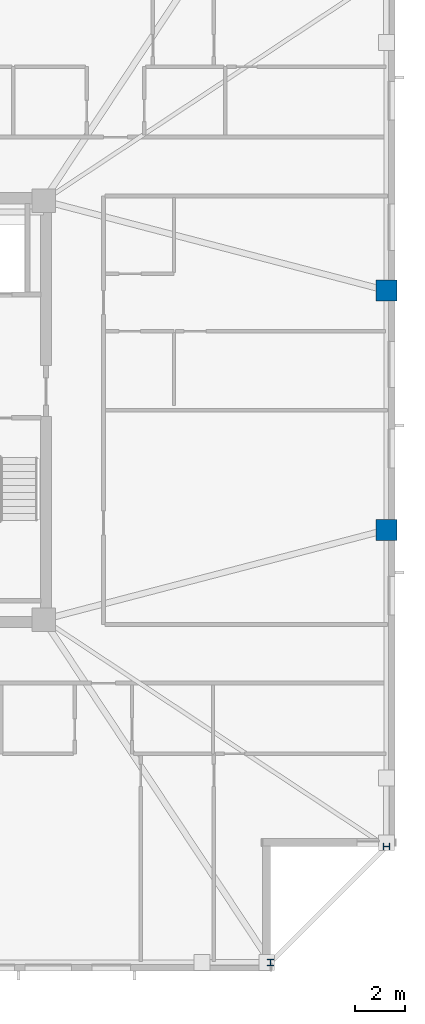
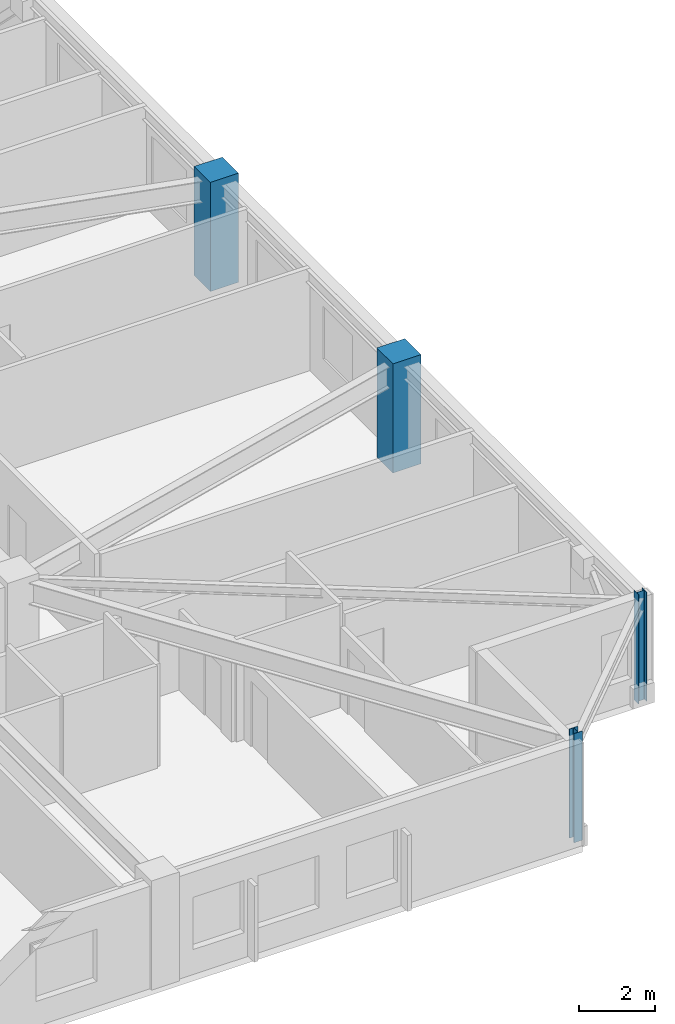
# One storey, part 3 of 17: 4 columns.
"""IFC4 building model written with IfcOpenShell, lengths in metres."""

from ifc_helpers import new_model, si_unit, direction, frame, origin, origin_2d, place, context, subcontext, project, spatial, rectangle, i_section, extrude, material, material_profile, profile_set, type_object, element, save


model = new_model("IFC4")

# Units and contexts
model_context = context("Model", 3, precision=1e-05, world=origin(), true_north=direction((0.0, 1.0)))
body_context = subcontext(model_context, "Body", "Model", "MODEL_VIEW")
ifc_project = project(units=[si_unit("LENGTHUNIT", "METRE"), si_unit("AREAUNIT", "SQUARE_METRE"), si_unit("VOLUMEUNIT", "CUBIC_METRE"), si_unit("PLANEANGLEUNIT", "RADIAN"), si_unit("MASSUNIT", "GRAM", prefix="KILO")], contexts=[model_context])

# Site, building, storey
site_placement = place(None, origin())
site = spatial("IfcSite", under=ifc_project, at=site_placement, CompositionType="ELEMENT")
building_placement = place(site_placement, origin())
building = spatial("IfcBuilding", under=site, at=building_placement, Name="Cairnveth Concourse Tower", CompositionType="ELEMENT")
storey_placement = place(building_placement, frame((0.0, 0.0, 206.0)))
storey = spatial("IfcBuildingStorey", under=building, at=storey_placement, Name="L56", CompositionType="ELEMENT", Elevation=206.0)

# Columns
ifc_material_1 = material(Name="Concrete N65 (65 MPa)", Category="concrete")
ifc_material_profile_1 = material_profile(ifc_material_1, rectangle(XDim=0.85009765625, YDim=0.85009765625, at=origin_2d()), Name="RC-COL-850x850")
ifc_profile_set_1 = profile_set([ifc_material_profile_1], Name="Concrete N65 (65 MPa)")
column_type_1 = type_object("IfcColumnType", Name="PERIMETER PIER COLUMN 850X850", PredefinedType="COLUMN", material=ifc_profile_set_1)
for number, where, z_axis, x_axis, name in (
    (1, (74.14990234375, 34.199951171875, 0.0), (0.0, 0.0, 1.0), (0.0, 1.0, 0.0), "Column P-E2 L56"),
    (2, (74.14990234375, 43.800048828125, 0.0), (0.0, 0.0, 1.0), (0.0, 1.0, 0.0), "Column P-E3 L56"),
):
    element("IfcColumn", number, at=place(storey_placement, frame(where, z_axis=z_axis, x_axis=x_axis)), inside=storey, type_object=column_type_1, Name=name, PredefinedType="COLUMN", context=body_context, shape_type="SweptSolid", body=[
        extrude(rectangle(XDim=0.85009765625, YDim=0.85009765625, at=origin_2d()), origin(), (0.0, 0.0, 1.0), 3.5),
    ])
ifc_material_2 = material(Name="Steel Grade 350", Category="steel")
ifc_material_profile_2 = material_profile(ifc_material_2, i_section(OverallWidth=0.256103515625, OverallDepth=0.260009765625, WebThickness=0.010498046875, FlangeThickness=0.017333984375, FilletRadius=0.012939453125, at=origin_2d()), Name="250UC89.5")
ifc_profile_set_2 = profile_set([ifc_material_profile_2], Name="Steel Grade 350")
column_type_2 = type_object("IfcColumnType", Name="UNIVERSAL STEEL COLUMN 250UC89.5", PredefinedType="COLUMN", material=ifc_profile_set_2)
for number, where, z_axis, x_axis, name in (
    (3, (69.5, 16.85009765625, 0.0), (0.0, 0.0, 1.0), (1.0, 0.0, 0.0), "Column P-S4 L56"),
    (4, (74.14990234375, 21.5, 0.0), (0.0, 0.0, 1.0), (0.0, 1.0, 0.0), "Column P-E1 L56"),
):
    element("IfcColumn", number, at=place(storey_placement, frame(where, z_axis=z_axis, x_axis=x_axis)), inside=storey, type_object=column_type_2, Name=name, PredefinedType="COLUMN", context=body_context, shape_type="SweptSolid", body=[
        extrude(i_section(OverallWidth=0.256103515625, OverallDepth=0.260009765625, WebThickness=0.010498046875, FlangeThickness=0.017333984375, FilletRadius=0.012939453125, at=origin_2d()), origin(), (0.0, 0.0, 1.0), 3.5),
    ])

save(model, "model.ifc")
